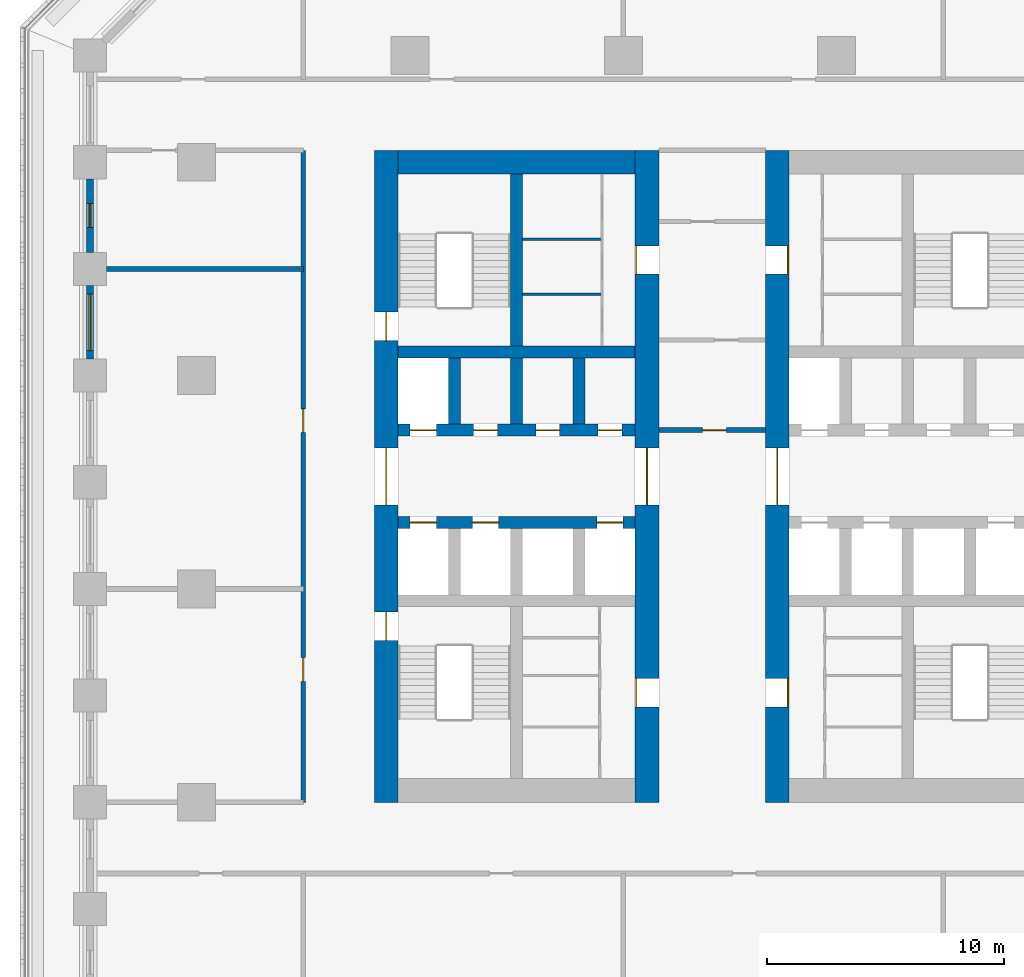
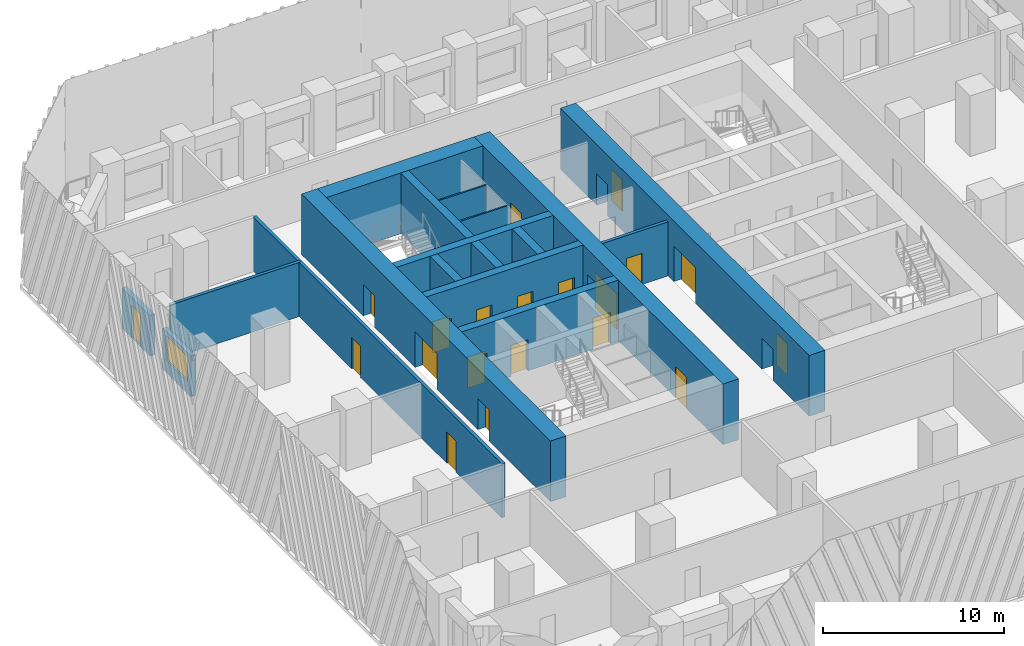
# One storey, part 5 of 14: 20 doors, 18 walls, 1 window, 21 openings.
"""IFC4 building model written with IfcOpenShell, lengths in metres."""

from ifc_helpers import new_model, si_unit, direction, frame, frame_2d, origin, place, context, subcontext, project, spatial, rectangle, extrude, material, layer, layer_set, type_object, element, fill, save


model = new_model("IFC4")

# Units and contexts
model_context = context("Model", 3, precision=1e-05, world=origin(), true_north=direction((0.0, 1.0)))
body_context = subcontext(model_context, "Body", "Model", "MODEL_VIEW")
ifc_project = project(units=[si_unit("LENGTHUNIT", "METRE"), si_unit("AREAUNIT", "SQUARE_METRE"), si_unit("VOLUMEUNIT", "CUBIC_METRE"), si_unit("PLANEANGLEUNIT", "RADIAN"), si_unit("MASSUNIT", "GRAM", prefix="KILO")], contexts=[model_context])

# Site, building, storey
site_placement = place(None, origin())
site = spatial("IfcSite", under=ifc_project, at=site_placement, CompositionType="ELEMENT")
building_placement = place(site_placement, origin())
building = spatial("IfcBuilding", under=site, at=building_placement, Name="Corbel Stack Research Tower", CompositionType="ELEMENT")
storey_placement = place(building_placement, frame((0.0, 0.0, 50.10009765625)))
storey = spatial("IfcBuildingStorey", under=building, at=storey_placement, Name="L11", CompositionType="ELEMENT", Elevation=50.10009765625)

# Wall, openings, doors
ifc_material_1 = material(Name="Concrete C70/85", Category="concrete")
ifc_layer_1 = layer(ifc_material_1, 1.0)
ifc_layer_set_1 = layer_set([ifc_layer_1], Name="Concrete C70/85")
wall_type_1 = type_object("IfcWallType", Name="CW-1000-70", PredefinedType="SHEAR", material=ifc_layer_set_1)
wall_1_placement = place(storey_placement, frame((-10.0, -9.0, 0.0), z_axis=(0.0, 0.0, 1.0), x_axis=(0.0, 1.0, 0.0)))
wall_1 = element("IfcWall", 1, at=wall_1_placement, inside=storey, type_object=wall_type_1, Name="West core wall, west face L11", PredefinedType="SHEAR", context=body_context, shape_type="SweptSolid", body=[
    extrude(rectangle(XDim=27.5, YDim=1.0, at=frame_2d((13.75, 0.0))), origin(), (0.0, 0.0, 1.0), 4.099853515625),
])
opening_1_placement = place(wall_1_placement, frame((12.550048828125, 0.0, 0.0)))
opening_1 = element("IfcOpeningElement", 2, at=opening_1_placement, cuts=wall_1, Name="Opening CD-W-W", PredefinedType="OPENING", context=body_context, shape_type="SweptSolid", body=[
    extrude(rectangle(XDim=2.39990234375, YDim=2.39990234375, at=frame_2d((1.199951171875, 1.199951171875))), frame((0.0, 0.510009765625, 0.0), z_axis=(0.0, -1.0, 0.0), x_axis=(1.0, 0.0, 0.0)), (0.0, 0.0, 1.0), 1.02001953125),
])
opening_2_placement = place(wall_1_placement, frame((6.824951171875, 0.0, 0.0)))
opening_2 = element("IfcOpeningElement", 3, at=opening_2_placement, cuts=wall_1, Name="Opening SD-ST-W1", PredefinedType="OPENING", context=body_context, shape_type="SweptSolid", body=[
    extrude(rectangle(XDim=1.199951171875, YDim=2.10009765625, at=frame_2d((0.60009765625, 1.050048828125))), frame((0.0, 0.510009765625, 0.0), z_axis=(0.0, -1.0, 0.0), x_axis=(1.0, 0.0, 0.0)), (0.0, 0.0, 1.0), 1.02001953125),
])
opening_3_placement = place(wall_1_placement, frame((19.47509765625, 0.0, 0.0)))
opening_3 = element("IfcOpeningElement", 4, at=opening_3_placement, cuts=wall_1, Name="Opening SD-ST-W2", PredefinedType="OPENING", context=body_context, shape_type="SweptSolid", body=[
    extrude(rectangle(XDim=1.199951171875, YDim=2.10009765625, at=frame_2d((0.60009765625, 1.050048828125))), frame((0.0, 0.510009765625, 0.0), z_axis=(0.0, -1.0, 0.0), x_axis=(1.0, 0.0, 0.0)), (0.0, 0.0, 1.0), 1.02001953125),
])
ifc_material_2 = material(Name="Painted steel fire door", Category="steel")
door_type_1 = type_object("IfcDoorType", Name="Lobby door pair 2400 x 2400 FD30S", OperationType="DOUBLE_DOOR_DOUBLE_SWING", PredefinedType="DOOR", material=ifc_material_2)
door_1_placement = place(opening_1_placement, origin())
door_1 = element("IfcDoor", 5, at=door_1_placement, inside=storey, type_object=door_type_1, Name="Lift lobby door W core W", OperationType="DOUBLE_DOOR_DOUBLE_SWING", OverallHeight=2.39990234375, OverallWidth=2.39990234375, PredefinedType="DOOR", context=body_context, shape_type="SweptSolid", body=[
    extrude(rectangle(XDim=2.39990234375, YDim=2.39990234375, at=frame_2d((1.199951171875, 1.199951171875))), frame((0.0, 0.02490234375, 0.0), z_axis=(0.0, -1.0, 0.0), x_axis=(1.0, 0.0, 0.0)), (0.0, 0.0, 1.0), 0.050048828125),
])
fill(opening_1, door_1)
ifc_material_3 = material(Name="Painted steel fire door", Category="steel")
door_type_2 = type_object("IfcDoorType", Name="Stair door 1200 x 2100 FD90 left hand", OperationType="SINGLE_SWING_LEFT", PredefinedType="DOOR", material=ifc_material_3)
door_2_placement = place(opening_2_placement, origin())
door_2 = element("IfcDoor", 6, at=door_2_placement, inside=storey, type_object=door_type_2, Name="Stair door ST-W1", OperationType="SINGLE_SWING_LEFT", OverallHeight=2.10009765625, OverallWidth=1.199951171875, PredefinedType="DOOR", context=body_context, shape_type="SweptSolid", body=[
    extrude(rectangle(XDim=1.199951171875, YDim=2.10009765625, at=frame_2d((0.60009765625, 1.050048828125))), frame((0.0, 0.02490234375, 0.0), z_axis=(0.0, -1.0, 0.0), x_axis=(1.0, 0.0, 0.0)), (0.0, 0.0, 1.0), 0.050048828125),
])
fill(opening_2, door_2)
door_3_placement = place(opening_3_placement, origin())
door_3 = element("IfcDoor", 7, at=door_3_placement, inside=storey, type_object=door_type_2, Name="Stair door ST-W2", OperationType="SINGLE_SWING_LEFT", OverallHeight=2.10009765625, OverallWidth=1.199951171875, PredefinedType="DOOR", context=body_context, shape_type="SweptSolid", body=[
    extrude(rectangle(XDim=1.199951171875, YDim=2.10009765625, at=frame_2d((0.60009765625, 1.050048828125))), frame((0.0, 0.02490234375, 0.0), z_axis=(0.0, -1.0, 0.0), x_axis=(1.0, 0.0, 0.0)), (0.0, 0.0, 1.0), 0.050048828125),
])
fill(opening_3, door_3)

wall_2_placement = place(storey_placement, frame((1.0, -9.0, 0.0), z_axis=(0.0, 0.0, 1.0), x_axis=(0.0, 1.0, 0.0)))
wall_2 = element("IfcWall", 8, at=wall_2_placement, inside=storey, type_object=wall_type_1, Name="West core wall, east face L11", PredefinedType="SHEAR", context=body_context, shape_type="SweptSolid", body=[
    extrude(rectangle(XDim=27.5, YDim=1.0, at=frame_2d((13.75, 0.0))), origin(), (0.0, 0.0, 1.0), 4.099853515625),
])
opening_4_placement = place(wall_2_placement, frame((12.550048828125, 0.0, 0.0)))
opening_4 = element("IfcOpeningElement", 9, at=opening_4_placement, cuts=wall_2, Name="Opening CD-W-E", PredefinedType="OPENING", context=body_context, shape_type="SweptSolid", body=[
    extrude(rectangle(XDim=2.39990234375, YDim=2.39990234375, at=frame_2d((1.199951171875, 1.199951171875))), frame((0.0, 0.510009765625, 0.0), z_axis=(0.0, -1.0, 0.0), x_axis=(1.0, 0.0, 0.0)), (0.0, 0.0, 1.0), 1.02001953125),
])
opening_5_placement = place(wall_2_placement, frame((4.02490234375, 0.0, 0.0)))
opening_5 = element("IfcOpeningElement", 10, at=opening_5_placement, cuts=wall_2, Name="Opening CR-W42-W1-1200", PredefinedType="OPENING", context=body_context, shape_type="SweptSolid", body=[
    extrude(rectangle(XDim=1.199951171875, YDim=2.10009765625, at=frame_2d((0.60009765625, 1.050048828125))), frame((0.0, 0.510009765625, 0.0), z_axis=(0.0, -1.0, 0.0), x_axis=(1.0, 0.0, 0.0)), (0.0, 0.0, 1.0), 1.02001953125),
])
opening_6_placement = place(wall_2_placement, frame((22.27490234375, 0.0, 0.0)))
opening_6 = element("IfcOpeningElement", 11, at=opening_6_placement, cuts=wall_2, Name="Opening CR-W42-R1-1200", PredefinedType="OPENING", context=body_context, shape_type="SweptSolid", body=[
    extrude(rectangle(XDim=1.199951171875, YDim=2.10009765625, at=frame_2d((0.60009765625, 1.050048828125))), frame((0.0, 0.510009765625, 0.0), z_axis=(0.0, -1.0, 0.0), x_axis=(1.0, 0.0, 0.0)), (0.0, 0.0, 1.0), 1.02001953125),
])
door_4_placement = place(opening_4_placement, origin())
door_4 = element("IfcDoor", 12, at=door_4_placement, inside=storey, type_object=door_type_1, Name="Lift lobby door W core E", OperationType="DOUBLE_DOOR_DOUBLE_SWING", OverallHeight=2.39990234375, OverallWidth=2.39990234375, PredefinedType="DOOR", context=body_context, shape_type="SweptSolid", body=[
    extrude(rectangle(XDim=2.39990234375, YDim=2.39990234375, at=frame_2d((1.199951171875, 1.199951171875))), frame((0.0, 0.02490234375, 0.0), z_axis=(0.0, -1.0, 0.0), x_axis=(1.0, 0.0, 0.0)), (0.0, 0.0, 1.0), 0.050048828125),
])
fill(opening_4, door_4)
ifc_material_4 = material(Name="Painted steel door", Category="steel")
door_type_3 = type_object("IfcDoorType", Name="Service door 1200 x 2100 FD30 left hand", OperationType="SINGLE_SWING_LEFT", PredefinedType="DOOR", material=ifc_material_4)
door_5_placement = place(opening_6_placement, origin())
door_5 = element("IfcDoor", 13, at=door_5_placement, inside=storey, type_object=door_type_3, Name="Service passage door W core", OperationType="SINGLE_SWING_LEFT", OverallHeight=2.10009765625, OverallWidth=1.199951171875, PredefinedType="DOOR", context=body_context, shape_type="SweptSolid", body=[
    extrude(rectangle(XDim=1.199951171875, YDim=2.10009765625, at=frame_2d((0.60009765625, 1.050048828125))), frame((0.0, 0.47509765625, 0.0), z_axis=(0.0, -1.0, 0.0), x_axis=(1.0, 0.0, 0.0)), (0.0, 0.0, 1.0), 0.050048828125),
])
fill(opening_6, door_5)
ifc_material_5 = material(Name="Painted timber door", Category="wood")
door_type_4 = type_object("IfcDoorType", Name="WC door 1200 x 2100 left hand", OperationType="SINGLE_SWING_LEFT", PredefinedType="DOOR", material=ifc_material_5)
door_6_placement = place(opening_5_placement, origin())
door_6 = element("IfcDoor", 14, at=door_6_placement, inside=storey, type_object=door_type_4, Name="WC lobby door W core", OperationType="SINGLE_SWING_LEFT", OverallHeight=2.10009765625, OverallWidth=1.199951171875, PredefinedType="DOOR", context=body_context, shape_type="SweptSolid", body=[
    extrude(rectangle(XDim=1.199951171875, YDim=2.10009765625, at=frame_2d((0.60009765625, 1.050048828125))), frame((0.0, 0.47509765625, 0.0), z_axis=(0.0, -1.0, 0.0), x_axis=(1.0, 0.0, 0.0)), (0.0, 0.0, 1.0), 0.050048828125),
])
fill(opening_5, door_6)

# Wall
wall_3_placement = place(storey_placement, frame((-9.5, 18.0, 0.0), z_axis=(0.0, 0.0, 1.0), x_axis=(1.0, 0.0, 0.0)))
element("IfcWall", 15, at=wall_3_placement, inside=storey, type_object=wall_type_1, Name="West core wall, north end L11", PredefinedType="SHEAR", context=body_context, shape_type="SweptSolid", body=[
    extrude(rectangle(XDim=10.0, YDim=1.0, at=frame_2d((5.0, 0.0))), origin(), (0.0, 0.0, 1.0), 4.099853515625),
])

# Wall, openings, doors
wall_4_placement = place(storey_placement, frame((6.5, -9.0, 0.0), z_axis=(0.0, 0.0, 1.0), x_axis=(0.0, 1.0, 0.0)))
wall_4 = element("IfcWall", 16, at=wall_4_placement, inside=storey, type_object=wall_type_1, Name="East core wall, west face L11", PredefinedType="SHEAR", context=body_context, shape_type="SweptSolid", body=[
    extrude(rectangle(XDim=27.5, YDim=1.0, at=frame_2d((13.75, 0.0))), origin(), (0.0, 0.0, 1.0), 4.099853515625),
])
opening_7_placement = place(wall_4_placement, frame((12.550048828125, 0.0, 0.0)))
opening_7 = element("IfcOpeningElement", 17, at=opening_7_placement, cuts=wall_4, Name="Opening CD-E-W", PredefinedType="OPENING", context=body_context, shape_type="SweptSolid", body=[
    extrude(rectangle(XDim=2.39990234375, YDim=2.39990234375, at=frame_2d((1.199951171875, 1.199951171875))), frame((0.0, 0.510009765625, 0.0), z_axis=(0.0, -1.0, 0.0), x_axis=(1.0, 0.0, 0.0)), (0.0, 0.0, 1.0), 1.02001953125),
])
opening_8_placement = place(wall_4_placement, frame((4.02490234375, 0.0, 0.0)))
opening_8 = element("IfcOpeningElement", 18, at=opening_8_placement, cuts=wall_4, Name="Opening CR-E42-W1-1200", PredefinedType="OPENING", context=body_context, shape_type="SweptSolid", body=[
    extrude(rectangle(XDim=1.199951171875, YDim=2.10009765625, at=frame_2d((0.60009765625, 1.050048828125))), frame((0.0, 0.510009765625, 0.0), z_axis=(0.0, -1.0, 0.0), x_axis=(1.0, 0.0, 0.0)), (0.0, 0.0, 1.0), 1.02001953125),
])
opening_9_placement = place(wall_4_placement, frame((22.27490234375, 0.0, 0.0)))
opening_9 = element("IfcOpeningElement", 19, at=opening_9_placement, cuts=wall_4, Name="Opening CR-E42-R1-1200", PredefinedType="OPENING", context=body_context, shape_type="SweptSolid", body=[
    extrude(rectangle(XDim=1.199951171875, YDim=2.10009765625, at=frame_2d((0.60009765625, 1.050048828125))), frame((0.0, 0.510009765625, 0.0), z_axis=(0.0, -1.0, 0.0), x_axis=(1.0, 0.0, 0.0)), (0.0, 0.0, 1.0), 1.02001953125),
])
door_7_placement = place(opening_7_placement, origin())
door_7 = element("IfcDoor", 20, at=door_7_placement, inside=storey, type_object=door_type_1, Name="Lift lobby door E core W", OperationType="DOUBLE_DOOR_DOUBLE_SWING", OverallHeight=2.39990234375, OverallWidth=2.39990234375, PredefinedType="DOOR", context=body_context, shape_type="SweptSolid", body=[
    extrude(rectangle(XDim=2.39990234375, YDim=2.39990234375, at=frame_2d((1.199951171875, 1.199951171875))), frame((0.0, 0.02490234375, 0.0), z_axis=(0.0, -1.0, 0.0), x_axis=(1.0, 0.0, 0.0)), (0.0, 0.0, 1.0), 0.050048828125),
])
fill(opening_7, door_7)
ifc_material_6 = material(Name="Painted steel door", Category="steel")
door_type_5 = type_object("IfcDoorType", Name="Service door 1200 x 2100 FD30 right hand", OperationType="SINGLE_SWING_RIGHT", PredefinedType="DOOR", material=ifc_material_6)
door_8_placement = place(opening_9_placement, origin())
door_8 = element("IfcDoor", 21, at=door_8_placement, inside=storey, type_object=door_type_5, Name="Service passage door E core", OperationType="SINGLE_SWING_RIGHT", OverallHeight=2.10009765625, OverallWidth=1.199951171875, PredefinedType="DOOR", context=body_context, shape_type="SweptSolid", body=[
    extrude(rectangle(XDim=1.199951171875, YDim=2.10009765625, at=frame_2d((0.60009765625, 1.050048828125))), frame((0.0, -0.4248046875, 0.0), z_axis=(0.0, -1.0, 0.0), x_axis=(1.0, 0.0, 0.0)), (0.0, 0.0, 1.0), 0.050048828125),
])
fill(opening_9, door_8)
ifc_material_7 = material(Name="Painted timber door", Category="wood")
door_type_6 = type_object("IfcDoorType", Name="WC door 1200 x 2100 right hand", OperationType="SINGLE_SWING_RIGHT", PredefinedType="DOOR", material=ifc_material_7)
door_9_placement = place(opening_8_placement, origin())
door_9 = element("IfcDoor", 22, at=door_9_placement, inside=storey, type_object=door_type_6, Name="WC lobby door E core", OperationType="SINGLE_SWING_RIGHT", OverallHeight=2.10009765625, OverallWidth=1.199951171875, PredefinedType="DOOR", context=body_context, shape_type="SweptSolid", body=[
    extrude(rectangle(XDim=1.199951171875, YDim=2.10009765625, at=frame_2d((0.60009765625, 1.050048828125))), frame((0.0, -0.4248046875, 0.0), z_axis=(0.0, -1.0, 0.0), x_axis=(1.0, 0.0, 0.0)), (0.0, 0.0, 1.0), 0.050048828125),
])
fill(opening_8, door_9)

ifc_material_8 = material(Name="Concrete C70/85", Category="concrete")
ifc_layer_2 = layer(ifc_material_8, 0.5)
ifc_layer_set_2 = layer_set([ifc_layer_2], Name="Concrete C70/85")
wall_type_2 = type_object("IfcWallType", Name="CW-500-70", PredefinedType="SHEAR", material=ifc_layer_set_2)
wall_5_placement = place(storey_placement, frame((-9.5, 2.800048828125, 0.0), z_axis=(0.0, 0.0, 1.0), x_axis=(1.0, 0.0, 0.0)))
wall_5 = element("IfcWall", 23, at=wall_5_placement, inside=storey, type_object=wall_type_2, Name="West core wall, lobby south L11", PredefinedType="SHEAR", context=body_context, shape_type="SweptSolid", body=[
    extrude(rectangle(XDim=10.0, YDim=0.5, at=frame_2d((5.0, 0.0))), origin(), (0.0, 0.0, 1.0), 4.099853515625),
])
opening_10_placement = place(wall_5_placement, frame((0.512451171875, 0.0, 0.0)))
opening_10 = element("IfcOpeningElement", 24, at=opening_10_placement, cuts=wall_5, Name="Opening LD-FS1", PredefinedType="OPENING", context=body_context, shape_type="SweptSolid", body=[
    extrude(rectangle(XDim=1.10009765625, YDim=2.10009765625, at=frame_2d((0.550048828125, 1.050048828125))), frame((0.0, 0.260009765625, 0.0), z_axis=(0.0, -1.0, 0.0), x_axis=(1.0, 0.0, 0.0)), (0.0, 0.0, 1.0), 0.52001953125),
])
opening_11_placement = place(wall_5_placement, frame((3.137451171875, 0.0, 0.0)))
opening_11 = element("IfcOpeningElement", 25, at=opening_11_placement, cuts=wall_5, Name="Opening LD-GL1", PredefinedType="OPENING", context=body_context, shape_type="SweptSolid", body=[
    extrude(rectangle(XDim=1.10009765625, YDim=2.10009765625, at=frame_2d((0.550048828125, 1.050048828125))), frame((0.0, 0.260009765625, 0.0), z_axis=(0.0, -1.0, 0.0), x_axis=(1.0, 0.0, 0.0)), (0.0, 0.0, 1.0), 0.52001953125),
])
opening_12_placement = place(wall_5_placement, frame((8.387451171875, 0.0, 0.0)))
opening_12 = element("IfcOpeningElement", 26, at=opening_12_placement, cuts=wall_5, Name="Opening LD-LR1", PredefinedType="OPENING", context=body_context, shape_type="SweptSolid", body=[
    extrude(rectangle(XDim=1.10009765625, YDim=2.10009765625, at=frame_2d((0.550048828125, 1.050048828125))), frame((0.0, 0.260009765625, 0.0), z_axis=(0.0, -1.0, 0.0), x_axis=(1.0, 0.0, 0.0)), (0.0, 0.0, 1.0), 0.52001953125),
])
ifc_material_9 = material(Name="Stainless steel landing door", Category="steel")
door_type_7 = type_object("IfcDoorType", Name="Lift landing door 1100 x 2100", OperationType="DOUBLE_DOOR_SLIDING", PredefinedType="DOOR", material=ifc_material_9)
door_10_placement = place(opening_10_placement, origin())
door_10 = element("IfcDoor", 27, at=door_10_placement, inside=storey, type_object=door_type_7, Name="Landing door FS1", OperationType="DOUBLE_DOOR_SLIDING", OverallHeight=2.10009765625, OverallWidth=1.10009765625, PredefinedType="DOOR", context=body_context, shape_type="SweptSolid", body=[
    extrude(rectangle(XDim=1.10009765625, YDim=2.10009765625, at=frame_2d((0.550048828125, 1.050048828125))), frame((0.0, 0.02490234375, 0.0), z_axis=(0.0, -1.0, 0.0), x_axis=(1.0, 0.0, 0.0)), (0.0, 0.0, 1.0), 0.050048828125),
])
fill(opening_10, door_10)
door_11_placement = place(opening_11_placement, origin())
door_11 = element("IfcDoor", 28, at=door_11_placement, inside=storey, type_object=door_type_7, Name="Landing door GL1", OperationType="DOUBLE_DOOR_SLIDING", OverallHeight=2.10009765625, OverallWidth=1.10009765625, PredefinedType="DOOR", context=body_context, shape_type="SweptSolid", body=[
    extrude(rectangle(XDim=1.10009765625, YDim=2.10009765625, at=frame_2d((0.550048828125, 1.050048828125))), frame((0.0, 0.02490234375, 0.0), z_axis=(0.0, -1.0, 0.0), x_axis=(1.0, 0.0, 0.0)), (0.0, 0.0, 1.0), 0.050048828125),
])
fill(opening_11, door_11)
door_12_placement = place(opening_12_placement, origin())
door_12 = element("IfcDoor", 29, at=door_12_placement, inside=storey, type_object=door_type_7, Name="Landing door LR1", OperationType="DOUBLE_DOOR_SLIDING", OverallHeight=2.10009765625, OverallWidth=1.10009765625, PredefinedType="DOOR", context=body_context, shape_type="SweptSolid", body=[
    extrude(rectangle(XDim=1.10009765625, YDim=2.10009765625, at=frame_2d((0.550048828125, 1.050048828125))), frame((0.0, 0.02490234375, 0.0), z_axis=(0.0, -1.0, 0.0), x_axis=(1.0, 0.0, 0.0)), (0.0, 0.0, 1.0), 0.050048828125),
])
fill(opening_12, door_12)

wall_6_placement = place(storey_placement, frame((-9.5, 6.699951171875, 0.0), z_axis=(0.0, 0.0, 1.0), x_axis=(1.0, 0.0, 0.0)))
wall_6 = element("IfcWall", 30, at=wall_6_placement, inside=storey, type_object=wall_type_2, Name="West core wall, lobby north L11", PredefinedType="SHEAR", context=body_context, shape_type="SweptSolid", body=[
    extrude(rectangle(XDim=10.0, YDim=0.5, at=frame_2d((5.0, 0.0))), origin(), (0.0, 0.0, 1.0), 4.099853515625),
])
opening_13_placement = place(wall_6_placement, frame((0.512451171875, 0.0, 0.0)))
opening_13 = element("IfcOpeningElement", 31, at=opening_13_placement, cuts=wall_6, Name="Opening LD-LR2", PredefinedType="OPENING", context=body_context, shape_type="SweptSolid", body=[
    extrude(rectangle(XDim=1.10009765625, YDim=2.10009765625, at=frame_2d((0.550048828125, 1.050048828125))), frame((0.0, 0.260009765625, 0.0), z_axis=(0.0, -1.0, 0.0), x_axis=(1.0, 0.0, 0.0)), (0.0, 0.0, 1.0), 0.52001953125),
])
opening_14_placement = place(wall_6_placement, frame((3.1875, 0.0, 0.0)))
opening_14 = element("IfcOpeningElement", 32, at=opening_14_placement, cuts=wall_6, Name="Opening CR-W42-N2", PredefinedType="OPENING", context=body_context, shape_type="SweptSolid", body=[
    extrude(rectangle(XDim=1.0, YDim=2.10009765625, at=frame_2d((0.5, 1.050048828125))), frame((0.0, 0.260009765625, 0.0), z_axis=(0.0, -1.0, 0.0), x_axis=(1.0, 0.0, 0.0)), (0.0, 0.0, 1.0), 0.52001953125),
])
opening_15_placement = place(wall_6_placement, frame((5.8125, 0.0, 0.0)))
opening_15 = element("IfcOpeningElement", 33, at=opening_15_placement, cuts=wall_6, Name="Opening CR-W42-N3", PredefinedType="OPENING", context=body_context, shape_type="SweptSolid", body=[
    extrude(rectangle(XDim=1.0, YDim=2.10009765625, at=frame_2d((0.5, 1.050048828125))), frame((0.0, 0.260009765625, 0.0), z_axis=(0.0, -1.0, 0.0), x_axis=(1.0, 0.0, 0.0)), (0.0, 0.0, 1.0), 0.52001953125),
])
opening_16_placement = place(wall_6_placement, frame((8.4375, 0.0, 0.0)))
opening_16 = element("IfcOpeningElement", 34, at=opening_16_placement, cuts=wall_6, Name="Opening CR-W42-N4", PredefinedType="OPENING", context=body_context, shape_type="SweptSolid", body=[
    extrude(rectangle(XDim=1.0, YDim=2.10009765625, at=frame_2d((0.5, 1.050048828125))), frame((0.0, 0.260009765625, 0.0), z_axis=(0.0, -1.0, 0.0), x_axis=(1.0, 0.0, 0.0)), (0.0, 0.0, 1.0), 0.52001953125),
])
door_13_placement = place(opening_13_placement, origin())
door_13 = element("IfcDoor", 35, at=door_13_placement, inside=storey, type_object=door_type_7, Name="Landing door LR2", OperationType="DOUBLE_DOOR_SLIDING", OverallHeight=2.10009765625, OverallWidth=1.10009765625, PredefinedType="DOOR", context=body_context, shape_type="SweptSolid", body=[
    extrude(rectangle(XDim=1.10009765625, YDim=2.10009765625, at=frame_2d((0.550048828125, 1.050048828125))), frame((0.0, 0.02490234375, 0.0), z_axis=(0.0, -1.0, 0.0), x_axis=(1.0, 0.0, 0.0)), (0.0, 0.0, 1.0), 0.050048828125),
])
fill(opening_13, door_13)
ifc_material_10 = material(Name="Painted steel door", Category="steel")
door_type_8 = type_object("IfcDoorType", Name="Service door 1000 x 2100 FD60 left hand", OperationType="SINGLE_SWING_LEFT", PredefinedType="DOOR", material=ifc_material_10)
door_14_placement = place(opening_15_placement, origin())
door_14 = element("IfcDoor", 36, at=door_14_placement, inside=storey, type_object=door_type_8, Name="Pantry door W core", OperationType="SINGLE_SWING_LEFT", OverallHeight=2.10009765625, OverallWidth=1.0, PredefinedType="DOOR", context=body_context, shape_type="SweptSolid", body=[
    extrude(rectangle(XDim=1.0, YDim=2.10009765625, at=frame_2d((0.5, 1.050048828125))), frame((0.0, 0.02490234375, 0.0), z_axis=(0.0, -1.0, 0.0), x_axis=(1.0, 0.0, 0.0)), (0.0, 0.0, 1.0), 0.050048828125),
])
fill(opening_15, door_14)
ifc_material_11 = material(Name="Painted steel door", Category="steel")
door_type_9 = type_object("IfcDoorType", Name="Service door 1000 x 2100 FD60 right hand", OperationType="SINGLE_SWING_RIGHT", PredefinedType="DOOR", material=ifc_material_11)
door_15_placement = place(opening_14_placement, origin())
door_15 = element("IfcDoor", 37, at=door_15_placement, inside=storey, type_object=door_type_9, Name="Electrical room door W core", OperationType="SINGLE_SWING_RIGHT", OverallHeight=2.10009765625, OverallWidth=1.0, PredefinedType="DOOR", context=body_context, shape_type="SweptSolid", body=[
    extrude(rectangle(XDim=1.0, YDim=2.10009765625, at=frame_2d((0.5, 1.050048828125))), frame((0.0, 0.02490234375, 0.0), z_axis=(0.0, -1.0, 0.0), x_axis=(1.0, 0.0, 0.0)), (0.0, 0.0, 1.0), 0.050048828125),
])
fill(opening_14, door_15)
door_16_placement = place(opening_16_placement, origin())
door_16 = element("IfcDoor", 38, at=door_16_placement, inside=storey, type_object=door_type_9, Name="Staff WC door W core", OperationType="SINGLE_SWING_RIGHT", OverallHeight=2.10009765625, OverallWidth=1.0, PredefinedType="DOOR", context=body_context, shape_type="SweptSolid", body=[
    extrude(rectangle(XDim=1.0, YDim=2.10009765625, at=frame_2d((0.5, 1.050048828125))), frame((0.0, 0.02490234375, 0.0), z_axis=(0.0, -1.0, 0.0), x_axis=(1.0, 0.0, 0.0)), (0.0, 0.0, 1.0), 0.050048828125),
])
fill(opening_16, door_16)

# Walls
wall_7_placement = place(storey_placement, frame((-9.5, 10.0, 0.0), z_axis=(0.0, 0.0, 1.0), x_axis=(1.0, 0.0, 0.0)))
element("IfcWall", 39, at=wall_7_placement, inside=storey, type_object=wall_type_2, Name="West core wall, north row back L11", PredefinedType="SHEAR", context=body_context, shape_type="SweptSolid", body=[
    extrude(rectangle(XDim=10.0, YDim=0.5, at=frame_2d((5.0, 0.0))), origin(), (0.0, 0.0, 1.0), 4.099853515625),
])
for number, where, z_axis, x_axis, name in (
    (40, (-7.125, 6.949951171875, 0.0), (0.0, 0.0, 1.0), (0.0, 1.0, 0.0), "West core wall, north shaft 1 L11"),
    (41, (-4.5, 6.949951171875, 0.0), (0.0, 0.0, 1.0), (0.0, 1.0, 0.0), "West core wall, north shaft 2 L11"),
    (42, (-1.875, 6.949951171875, 0.0), (0.0, 0.0, 1.0), (0.0, 1.0, 0.0), "West core wall, north shaft 3 L11"),
):
    element("IfcWall", number, at=place(storey_placement, frame(where, z_axis=z_axis, x_axis=x_axis)), inside=storey, type_object=wall_type_2, Name=name, PredefinedType="SHEAR", context=body_context, shape_type="SweptSolid", body=[
        extrude(rectangle(XDim=2.800048828125, YDim=0.5, at=frame_2d((1.39990234375, 0.0))), origin(), (0.0, 0.0, 1.0), 4.099853515625),
    ])
wall_8_placement = place(storey_placement, frame((-4.5, 10.25, 0.0), z_axis=(0.0, 0.0, 1.0), x_axis=(0.0, 1.0, 0.0)))
element("IfcWall", 43, at=wall_8_placement, inside=storey, type_object=wall_type_2, Name="West core wall, north stair and riser L11", PredefinedType="SHEAR", context=body_context, shape_type="SweptSolid", body=[
    extrude(rectangle(XDim=7.25, YDim=0.5, at=frame_2d((3.625, 0.0))), origin(), (0.0, 0.0, 1.0), 4.099853515625),
])
ifc_material_12 = material(Name="Gypsum board")
ifc_layer_3 = layer(ifc_material_12, 0.10009765625)
ifc_layer_set_3 = layer_set([ifc_layer_3], Name="Gypsum board")
wall_type_3 = type_object("IfcWallType", Name="Core partition 100", PredefinedType="PARTITIONING", material=ifc_layer_set_3)
for number, where, z_axis, x_axis, name in (
    (44, (-4.25, 12.425048828125, 0.0), (0.0, 0.0, 1.0), (1.0, 0.0, 0.0), "Core partition W"),
    (45, (-4.25, 14.7451171875, 0.0), (0.0, 0.0, 1.0), (1.0, 0.0, 0.0), "Core partition W"),
):
    element("IfcWall", number, at=place(storey_placement, frame(where, z_axis=z_axis, x_axis=x_axis)), inside=storey, type_object=wall_type_3, Name=name, PredefinedType="PARTITIONING", context=body_context, shape_type="SweptSolid", body=[
        extrude(rectangle(XDim=3.35009765625, YDim=0.10009765625, at=frame_2d((1.675048828125, 0.0))), origin(), (0.0, 0.0, 1.0), 3.64990234375),
    ])

# Wall, openings, doors
ifc_material_13 = material(Name="Fire-rated gypsum board partition on steel studs", Category="steel")
ifc_layer_4 = layer(ifc_material_13, 0.199951171875)
ifc_layer_set_4 = layer_set([ifc_layer_4], Name="Fire-rated gypsum board partition on steel studs")
wall_type_4 = type_object("IfcWallType", Name="Fire-rated partition 200 EI 60", PredefinedType="PARTITIONING", material=ifc_layer_set_4)
wall_9_placement = place(storey_placement, frame((-13.5, -9.0, 0.0), z_axis=(0.0, 0.0, 1.0), x_axis=(0.0, 1.0, 0.0)))
wall_9 = element("IfcWall", 46, at=wall_9_placement, inside=storey, type_object=wall_type_4, Name="Partition L11-002", PredefinedType="PARTITIONING", context=body_context, shape_type="SweptSolid", body=[
    extrude(rectangle(XDim=27.5, YDim=0.199951171875, at=frame_2d((13.75, 0.0))), origin(), (0.0, 0.0, 1.0), 3.64990234375),
])
opening_17_placement = place(wall_9_placement, frame((5.10009765625, 0.0, 0.0)))
opening_17 = element("IfcOpeningElement", 47, at=opening_17_placement, cuts=wall_9, Name="Opening B2V1-006", PredefinedType="OPENING", context=body_context, shape_type="SweptSolid", body=[
    extrude(rectangle(XDim=1.0, YDim=2.10009765625, at=frame_2d((0.5, 1.050048828125))), frame((0.0, 0.10986328125, 0.0), z_axis=(0.0, -1.0, 0.0), x_axis=(1.0, 0.0, 0.0)), (0.0, 0.0, 1.0), 0.219970703125),
])
opening_18_placement = place(wall_9_placement, frame((15.60009765625, 0.0, 0.0)))
opening_18 = element("IfcOpeningElement", 48, at=opening_18_placement, cuts=wall_9, Name="Opening B2V1-007", PredefinedType="OPENING", context=body_context, shape_type="SweptSolid", body=[
    extrude(rectangle(XDim=1.0, YDim=2.10009765625, at=frame_2d((0.5, 1.050048828125))), frame((0.0, 0.10986328125, 0.0), z_axis=(0.0, -1.0, 0.0), x_axis=(1.0, 0.0, 0.0)), (0.0, 0.0, 1.0), 0.219970703125),
])
ifc_material_14 = material(Name="Painted steel fire door", Category="steel")
door_type_10 = type_object("IfcDoorType", Name="Fire door FD30S 1000 x 2100", OperationType="NOTDEFINED", PredefinedType="DOOR", material=ifc_material_14)
door_17_placement = place(opening_17_placement, origin())
door_17 = element("IfcDoor", 49, at=door_17_placement, inside=storey, type_object=door_type_10, Name="Door B2V1-006", OperationType="SINGLE_SWING_LEFT", OverallHeight=2.10009765625, OverallWidth=1.0, PredefinedType="DOOR", context=body_context, shape_type="SweptSolid", body=[
    extrude(rectangle(XDim=1.0, YDim=2.10009765625, at=frame_2d((0.5, 1.050048828125))), frame((0.0, 0.02490234375, 0.0), z_axis=(0.0, -1.0, 0.0), x_axis=(1.0, 0.0, 0.0)), (0.0, 0.0, 1.0), 0.050048828125),
])
fill(opening_17, door_17)
door_18_placement = place(opening_18_placement, origin())
door_18 = element("IfcDoor", 50, at=door_18_placement, inside=storey, type_object=door_type_10, Name="Door B2V1-007", OperationType="SINGLE_SWING_RIGHT", OverallHeight=2.10009765625, OverallWidth=1.0, PredefinedType="DOOR", context=body_context, shape_type="SweptSolid", body=[
    extrude(rectangle(XDim=1.0, YDim=2.10009765625, at=frame_2d((0.5, 1.050048828125))), frame((0.0, 0.02490234375, 0.0), z_axis=(0.0, -1.0, 0.0), x_axis=(1.0, 0.0, 0.0)), (0.0, 0.0, 1.0), 0.050048828125),
])
fill(opening_18, door_18)

# Wall, opening, door
wall_10_placement = place(storey_placement, frame((1.5, 6.699951171875, 0.0), z_axis=(0.0, 0.0, 1.0), x_axis=(1.0, 0.0, 0.0)))
wall_10 = element("IfcWall", 51, at=wall_10_placement, inside=storey, type_object=wall_type_4, Name="Partition L11-025", PredefinedType="PARTITIONING", context=body_context, shape_type="SweptSolid", body=[
    extrude(rectangle(XDim=4.5, YDim=0.199951171875, at=frame_2d((2.25, 0.0))), origin(), (0.0, 0.0, 1.0), 3.64990234375),
])
opening_19_placement = place(wall_10_placement, frame((1.85009765625, 0.0, 0.0)))
opening_19 = element("IfcOpeningElement", 52, at=opening_19_placement, cuts=wall_10, Name="Opening B2V1-014", PredefinedType="OPENING", context=body_context, shape_type="SweptSolid", body=[
    extrude(rectangle(XDim=1.0, YDim=2.10009765625, at=frame_2d((0.5, 1.050048828125))), frame((0.0, 0.10986328125, 0.0), z_axis=(0.0, -1.0, 0.0), x_axis=(1.0, 0.0, 0.0)), (0.0, 0.0, 1.0), 0.219970703125),
])
door_19_placement = place(opening_19_placement, origin())
door_19 = element("IfcDoor", 53, at=door_19_placement, inside=storey, type_object=door_type_10, Name="Door B2V1-014", OperationType="SINGLE_SWING_RIGHT", OverallHeight=2.10009765625, OverallWidth=1.0, PredefinedType="DOOR", context=body_context, shape_type="SweptSolid", body=[
    extrude(rectangle(XDim=1.0, YDim=2.10009765625, at=frame_2d((0.5, 1.050048828125))), frame((0.0, 0.02490234375, 0.0), z_axis=(0.0, -1.0, 0.0), x_axis=(1.0, 0.0, 0.0)), (0.0, 0.0, 1.0), 0.050048828125),
])
fill(opening_19, door_19)

# Wall
wall_11_placement = place(storey_placement, frame((-21.800048828125, 13.5, 0.0), z_axis=(0.0, 0.0, 1.0), x_axis=(1.0, 0.0, 0.0)))
element("IfcWall", 54, at=wall_11_placement, inside=storey, type_object=wall_type_4, Name="Partition L11-027", PredefinedType="PARTITIONING", context=body_context, shape_type="SweptSolid", body=[
    extrude(rectangle(XDim=8.300048828125, YDim=0.199951171875, at=frame_2d((4.14990234375, 0.0))), origin(), (0.0, 0.0, 1.0), 3.64990234375),
])

# Wall, opening, door
ifc_material_15 = material(Name="Concrete C45/55", Category="concrete")
ifc_layer_5 = layer(ifc_material_15, 0.300048828125)
ifc_layer_set_5 = layer_set([ifc_layer_5], Name="Concrete C45/55")
wall_type_5 = type_object("IfcWallType", Name="Terracotta-faced concrete wall 300", PredefinedType="SOLIDWALL", material=ifc_layer_set_5)
wall_12_placement = place(storey_placement, frame((-22.5, 14.199951171875, 0.0), z_axis=(0.0, 0.0, 1.0), x_axis=(0.0, 1.0, 0.0)))
wall_12 = element("IfcWall", 55, at=wall_12_placement, inside=storey, type_object=wall_type_5, Name="Facade wall L11 W02", PredefinedType="SOLIDWALL", context=body_context, shape_type="SweptSolid", body=[
    extrude(rectangle(XDim=3.10009765625, YDim=0.300048828125, at=frame_2d((1.550048828125, 0.0))), origin(), (0.0, 0.0, 1.0), 2.75),
])
opening_20_placement = place(wall_12_placement, frame((1.050048828125, 0.0, 0.0)))
opening_20 = element("IfcOpeningElement", 56, at=opening_20_placement, cuts=wall_12, Name="Opening L11-B10", PredefinedType="OPENING", context=body_context, shape_type="SweptSolid", body=[
    extrude(rectangle(XDim=1.0, YDim=2.199951171875, at=frame_2d((0.5, 1.10009765625))), frame((0.0, 0.159912109375, 0.0), z_axis=(0.0, -1.0, 0.0), x_axis=(1.0, 0.0, 0.0)), (0.0, 0.0, 1.0), 0.320068359375),
])
ifc_material_16 = material(Name="Aluminium frame, clear double glazing", Category="aluminium")
door_type_11 = type_object("IfcDoorType", Name="Balcony door BD1 1000 x 2200", OperationType="NOTDEFINED", PredefinedType="DOOR", material=ifc_material_16)
door_20_placement = place(opening_20_placement, origin())
door_20 = element("IfcDoor", 57, at=door_20_placement, inside=storey, type_object=door_type_11, Name="Balcony door L11-B10", OperationType="SINGLE_SWING_LEFT", OverallHeight=2.199951171875, OverallWidth=1.0, PredefinedType="DOOR", context=body_context, shape_type="SweptSolid", body=[
    extrude(rectangle(XDim=1.0, YDim=2.199951171875, at=frame_2d((0.5, 1.10009765625))), frame((0.0, 0.02490234375, 0.0), z_axis=(0.0, -1.0, 0.0), x_axis=(1.0, 0.0, 0.0)), (0.0, 0.0, 1.0), 0.050048828125),
])
fill(opening_20, door_20)

# Wall, opening, window
wall_13_placement = place(storey_placement, frame((-22.5, 9.699951171875, 0.0), z_axis=(0.0, 0.0, 1.0), x_axis=(0.0, 1.0, 0.0)))
wall_13 = element("IfcWall", 58, at=wall_13_placement, inside=storey, type_object=wall_type_5, Name="Facade wall L11 W03", PredefinedType="SOLIDWALL", context=body_context, shape_type="SweptSolid", body=[
    extrude(rectangle(XDim=3.10009765625, YDim=0.300048828125, at=frame_2d((1.550048828125, 0.0))), origin(), (0.0, 0.0, 1.0), 2.75),
])
opening_21_placement = place(wall_13_placement, frame((0.35009765625, 0.0, 0.800048828125)))
opening_21 = element("IfcOpeningElement", 59, at=opening_21_placement, cuts=wall_13, Name="Opening W1", PredefinedType="OPENING", context=body_context, shape_type="SweptSolid", body=[
    extrude(rectangle(XDim=2.39990234375, YDim=1.699951171875, at=frame_2d((1.199951171875, 0.85009765625))), frame((0.0, 0.159912109375, 0.0), z_axis=(0.0, -1.0, 0.0), x_axis=(1.0, 0.0, 0.0)), (0.0, 0.0, 1.0), 0.320068359375),
])
ifc_material_17 = material(Name="Aluminium frame, clear double glazing", Category="aluminium")
window_type = type_object("IfcWindowType", Name="Window W1 2400 x 1700", PartitioningType="SINGLE_PANEL", PredefinedType="WINDOW", material=ifc_material_17)
window_placement = place(opening_21_placement, origin())
window = element("IfcWindow", 60, at=window_placement, inside=storey, type_object=window_type, Name="Window W1 L11 W03", OverallHeight=1.699951171875, OverallWidth=2.39990234375, PartitioningType="SINGLE_PANEL", PredefinedType="WINDOW", context=body_context, shape_type="SweptSolid", body=[
    extrude(rectangle(XDim=2.39990234375, YDim=1.699951171875, at=frame_2d((1.199951171875, 0.85009765625))), frame((0.0, 0.030029296875, 0.0), z_axis=(0.0, -1.0, 0.0), x_axis=(1.0, 0.0, 0.0)), (0.0, 0.0, 1.0), 0.06005859375),
])
fill(opening_21, window)

save(model, "model.ifc")
